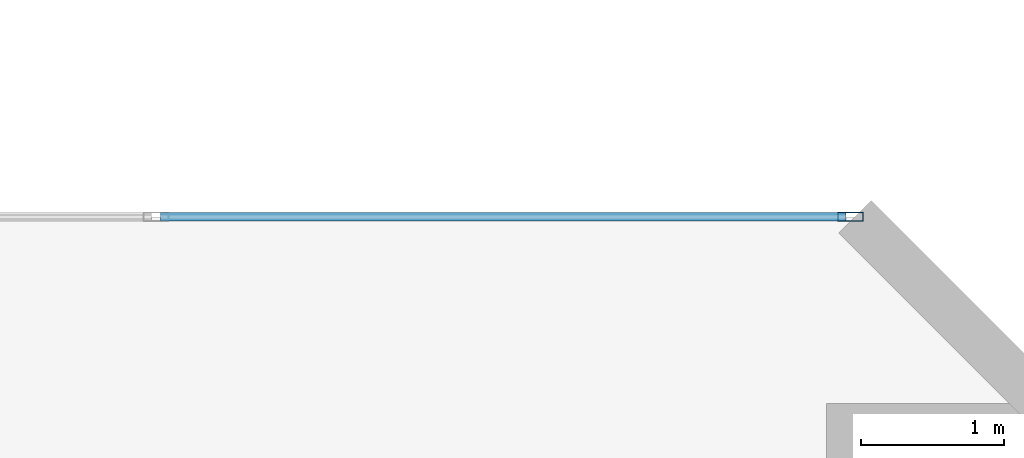
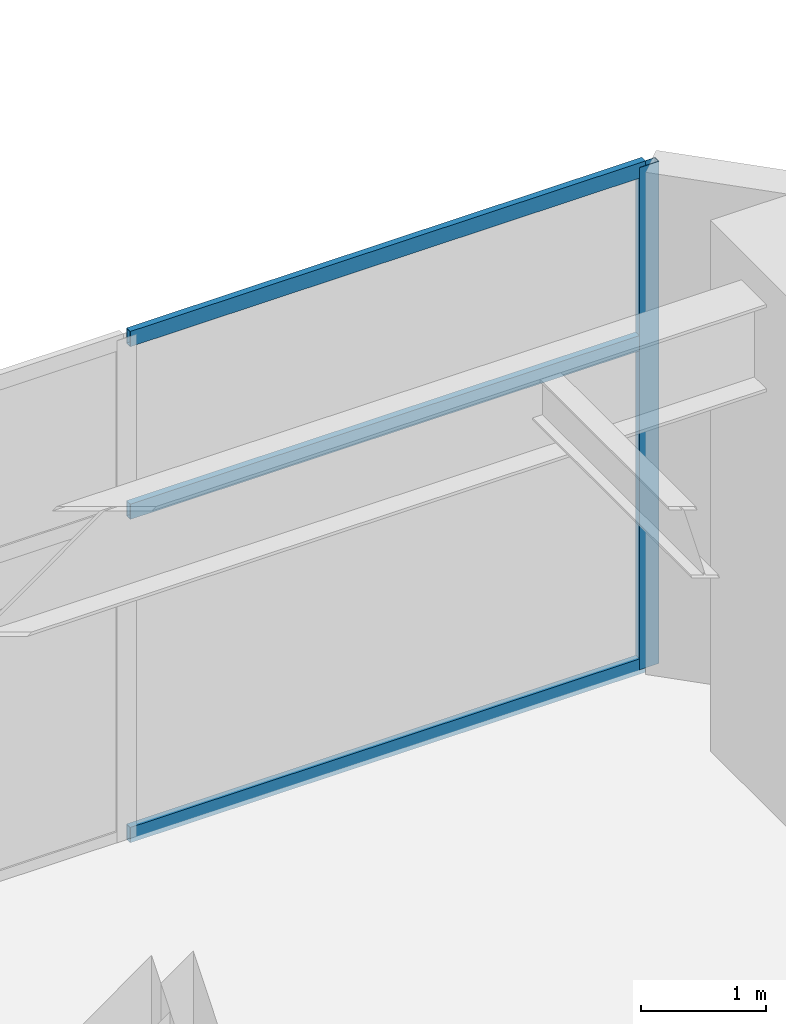
# One storey, part 11 of 22: 4 members, 1 element without a shape of its own.
"""IFC4 building model written with IfcOpenShell, lengths in metres."""

import ifcopenshell
import ifcopenshell.guid

model = None  # the IFC model being written
_history = None  # IfcOwnerHistory: only IFC2X3 demands one
_inside = {}  # id of a spatial element -> (the spatial element, [elements in it])
_under = {}  # id of a project, library or spatial element -> (it, [spatial elements below it])
_declared = {}  # id of a project -> (the project, [libraries it declares])
_typed = {}  # id of a type object -> (the type object, [elements of that type])
_made_of = {}  # id of a material, layer set ... -> (it, [elements and type objects made of it])


def new_model(schema):
    """Start an empty IFC model of exactly this schema.

    Asked for "IFC4X3", IfcOpenShell would pick the latest addendum, in which some entities
    have other attributes; the version numbers below select the first issue.
    IFC2X3 requires an IfcOwnerHistory on every rooted entity: one is made here for all.
    """
    global model, _history
    if schema == "IFC4X3":
        model = ifcopenshell.file(schema_version=(4, 3, 0, 0))
    else:
        model = ifcopenshell.file(schema=schema)
    _inside.clear()
    _under.clear()
    _declared.clear()
    _typed.clear()
    _made_of.clear()
    _history = None
    if model.schema == "IFC2X3":
        org = make("IfcOrganization", Name="unknown")
        user = make(
            "IfcPersonAndOrganization",
            ThePerson=make("IfcPerson", FamilyName="unknown"),
            TheOrganization=org,
        )
        app = make(
            "IfcApplication",
            ApplicationDeveloper=org,
            Version="unknown",
            ApplicationFullName="unknown",
            ApplicationIdentifier="unknown",
        )
        _history = make(
            "IfcOwnerHistory",
            OwningUser=user,
            OwningApplication=app,
            ChangeAction="ADDED",
            CreationDate=0,
        )
    return model


def make(cls, **values):
    """One entity of the class cls with the attributes given. An attribute that is None is left unset."""
    return model.create_entity(
        cls, **{name: value for name, value in values.items() if value is not None}
    )


def rooted(cls, **values):
    """An entity with a GlobalId (a new one), such as an element, a storey or a relation."""
    return make(cls, GlobalId=ifcopenshell.guid.new(), OwnerHistory=_history, **values)


def si_unit(unit_type, name, prefix=None):
    """IfcSIUnit, for example si_unit("LENGTHUNIT", "METRE", prefix="MILLI")."""
    return make("IfcSIUnit", UnitType=unit_type, Prefix=prefix, Name=name)


def assignment(units):
    """IfcUnitAssignment: the units of a project."""
    return None if units is None else make("IfcUnitAssignment", Units=units)


def point(xyz):
    """IfcCartesianPoint."""
    return None if xyz is None else make("IfcCartesianPoint", Coordinates=xyz)


def direction(xyz):
    """IfcDirection."""
    return None if xyz is None else make("IfcDirection", DirectionRatios=xyz)


def frame(location, z_axis=None, x_axis=None):
    """IfcAxis2Placement3D, a coordinate frame: its origin and axes. An axis left out is left unset."""
    return make(
        "IfcAxis2Placement3D",
        Location=point(location),
        Axis=direction(z_axis),
        RefDirection=direction(x_axis),
    )


def frame_2d(location, x_axis=None):
    """IfcAxis2Placement2D, a coordinate frame in the plane: its origin and x axis."""
    return make(
        "IfcAxis2Placement2D", Location=point(location), RefDirection=direction(x_axis)
    )


def origin():
    """The frame at (0, 0, 0) with its axes left unset."""
    return frame((0.0, 0.0, 0.0))


def origin_2d():
    """The frame at (0, 0) in the plane with its x axis left unset."""
    return frame_2d((0.0, 0.0))


def place(relative_to, where):
    """IfcLocalPlacement: puts the frame where relative to a parent placement (None: the world)."""
    return make(
        "IfcLocalPlacement", PlacementRelTo=relative_to, RelativePlacement=where
    )


def context(
    kind, dimensions, precision=None, world=None, true_north=None, identifier=None
):
    """IfcGeometricRepresentationContext, for example the 3D "Model" context."""
    return make(
        "IfcGeometricRepresentationContext",
        ContextIdentifier=identifier,
        ContextType=kind,
        CoordinateSpaceDimension=dimensions,
        Precision=precision,
        WorldCoordinateSystem=world,
        TrueNorth=true_north,
    )


def subcontext(parent, identifier, kind, view, scale=None):
    """IfcGeometricRepresentationSubContext, for example "Body" below "Model"."""
    return make(
        "IfcGeometricRepresentationSubContext",
        ContextIdentifier=identifier,
        ContextType=kind,
        ParentContext=parent,
        TargetScale=scale,
        TargetView=view,
    )


def project(units=None, contexts=None):
    """IfcProject with its units and contexts."""
    return rooted(
        "IfcProject",
        Name="project",
        RepresentationContexts=contexts,
        UnitsInContext=assignment(units),
    )


def spatial(cls, under=None, at=None, **own):
    """A site, building, storey or space (cls), placed at a placement, below another one or the project."""
    s = rooted(cls, ObjectPlacement=at, **own)
    if under is not None:
        _under.setdefault(under.id(), (under, []))[1].append(s)
    return s


def profile(cls, at=None, kind="AREA", **sizes):
    """A parametric profile (cls). Its sizes go by their IFC names, for example OverallWidth=200.0."""
    return make(cls, ProfileType=kind, Position=at, **sizes)


def hollow_rectangle(**sizes):
    """IfcRectangleHollowProfileDef."""
    return profile("IfcRectangleHollowProfileDef", **sizes)


def extrude(swept, where, along, depth):
    """IfcExtrudedAreaSolid: the profile swept, set in the frame where, extruded along a direction by depth."""
    return make(
        "IfcExtrudedAreaSolid",
        SweptArea=swept,
        Position=where,
        ExtrudedDirection=direction(along),
        Depth=depth,
    )


def shape(context_of_items, identifier, shape_type, items):
    """IfcShapeRepresentation: the items that make up one representation, for example the "Body"."""
    return make(
        "IfcShapeRepresentation",
        ContextOfItems=context_of_items,
        RepresentationIdentifier=identifier,
        RepresentationType=shape_type,
        Items=items,
    )


def material(Name=None, Category=None):
    """IfcMaterial."""
    return make("IfcMaterial", Name=Name, Category=Category)


def layer(
    of_material, thickness, ventilated=None, Name=None, Category=None, Priority=None
):
    """IfcMaterialLayer: one layer of a wall or slab, of a material (None: an air gap)."""
    return make(
        "IfcMaterialLayer",
        Material=of_material,
        LayerThickness=thickness,
        IsVentilated=ventilated,
        Name=Name,
        Category=Category,
        Priority=Priority,
    )


def layer_set(layers, Name=None):
    """IfcMaterialLayerSet."""
    return make("IfcMaterialLayerSet", MaterialLayers=layers, LayerSetName=Name)


def material_profile(
    of_material, cross_section, Name=None, Category=None, Priority=None
):
    """IfcMaterialProfile: a cross section and its material."""
    return make(
        "IfcMaterialProfile",
        Name=Name,
        Material=of_material,
        Profile=cross_section,
        Priority=Priority,
        Category=Category,
    )


def profile_set(profiles, Name=None, composite=None):
    """IfcMaterialProfileSet."""
    return make(
        "IfcMaterialProfileSet",
        Name=Name,
        MaterialProfiles=profiles,
        CompositeProfile=composite,
    )


def made_of(thing, what):
    """Note that an element or type object is made of a material, layer set ...; save() writes the relation."""
    if what is not None:
        _made_of.setdefault(what.id(), (what, []))[1].append(thing)
    return thing


def type_object(cls, material=None, **own):
    """A type object (cls), such as IfcWallType, which elements share."""
    return made_of(rooted(cls, **own), material)


def element(
    cls,
    number,
    at=None,
    inside=None,
    cuts=None,
    type_object=None,
    material=None,
    context=None,
    identifier="Body",
    shape_type=None,
    held_by="IfcProductDefinitionShape",
    body=None,
    shapes=None,
    **own,
):
    """One element of the class cls, such as IfcWall. Its Tag is "e" and its number.

    at: its placement. inside: the storey or other place that contains it. cuts: it is an
    opening in that element (IfcRelVoidsElement). A single representation is given by context,
    identifier, shape_type and body (its items); several are given by shapes. held_by: the class
    of the entity that holds the representations. save() writes the other relations.
    """
    e = rooted(cls, Tag="e%d" % number, ObjectPlacement=at, **own)
    if body is not None:
        shapes = [shape(context, identifier, shape_type, body)]
    if shapes is not None:
        e.Representation = make(held_by, Representations=shapes)
    if inside is not None:
        _inside.setdefault(inside.id(), (inside, []))[1].append(e)
    if cuts is not None:
        rooted(
            "IfcRelVoidsElement", RelatingBuildingElement=cuts, RelatedOpeningElement=e
        )
    if type_object is not None:
        _typed.setdefault(type_object.id(), (type_object, []))[1].append(e)
    return made_of(e, material)


def aggregate(whole, parts):
    """IfcRelAggregates: a whole, such as a stair, and the parts it consists of."""
    return rooted("IfcRelAggregates", RelatingObject=whole, RelatedObjects=parts)


def save(model, path):
    """Write the relations noted so far, then the file.

    IfcRelAggregates (storeys below a building ...), IfcRelContainedInSpatialStructure (elements
    in a storey), IfcRelDefinesByType, IfcRelAssociatesMaterial and IfcRelDeclares: one each for
    every whole, place, type object, material and project.
    """
    for whole, parts in _under.values():
        aggregate(whole, parts)
    for where, things in _inside.values():
        rooted(
            "IfcRelContainedInSpatialStructure",
            RelatedElements=things,
            RelatingStructure=where,
        )
    for kind, things in _typed.values():
        rooted("IfcRelDefinesByType", RelatedObjects=things, RelatingType=kind)
    for what, things in _made_of.values():
        rooted("IfcRelAssociatesMaterial", RelatedObjects=things, RelatingMaterial=what)
    for by, libraries in _declared.values():
        rooted("IfcRelDeclares", RelatingContext=by, RelatedDefinitions=libraries)
    model.write(path)


model = new_model("IFC4")

# Units and contexts
model_context = context("Model", 3, precision=1e-05, world=origin(), true_north=direction((0.0, 1.0)))
body_context = subcontext(model_context, "Body", "Model", "MODEL_VIEW")
ifc_project = project(units=[si_unit("LENGTHUNIT", "METRE"), si_unit("AREAUNIT", "SQUARE_METRE"), si_unit("VOLUMEUNIT", "CUBIC_METRE"), si_unit("PLANEANGLEUNIT", "RADIAN"), si_unit("MASSUNIT", "GRAM", prefix="KILO")], contexts=[model_context])

# Site, building, storey
site_placement = place(None, origin())
site = spatial("IfcSite", under=ifc_project, at=site_placement, CompositionType="ELEMENT")
building_placement = place(site_placement, origin())
building = spatial("IfcBuilding", under=site, at=building_placement, Name="Mawjaban Terraces University", CompositionType="ELEMENT")
storey_placement = place(building_placement, frame((0.0, 0.0, 10.39990234375)))
storey = spatial("IfcBuildingStorey", under=building, at=storey_placement, Name="L02", CompositionType="ELEMENT", Elevation=10.39990234375)

# Curtain wall, members
ifc_material_1 = material(Name="Anodised aluminium 6063-T6 and solar-control low-E glass", Category="aluminium")
ifc_layer = layer(ifc_material_1, 0.179931640625)
ifc_layer_set = layer_set([ifc_layer], Name="Anodised aluminium 6063-T6 and solar-control low-E glass")
curtain_wall_type = type_object("IfcCurtainWallType", Name="CWSystem_01_PlazaFoyer", PredefinedType="NOTDEFINED", material=ifc_layer_set)
curtain_wall_placement = place(storey_placement, origin())
curtain_wall = element("IfcCurtainWall", 1, at=curtain_wall_placement, inside=storey, type_object=curtain_wall_type, Name="L02 Curtain Wall CW-01 Run 5.1", PredefinedType="NOTDEFINED")
ifc_material_2 = material(Name="Anodised aluminium 6063-T6", Category="aluminium")
ifc_material_profile_1 = material_profile(ifc_material_2, hollow_rectangle(XDim=0.06494140625, YDim=0.179931640625, WallThickness=0.00390625, at=origin_2d()), Name="ALU180X65X4")
ifc_profile_set_1 = profile_set([ifc_material_profile_1], Name="Anodised aluminium 6063-T6")
member_type_1 = type_object("IfcMemberType", Name="Mullion_CW-01", PredefinedType="MULLION", material=ifc_profile_set_1)
member_1_placement = place(storey_placement, frame((73.467529296875, 32.0, 0.0), z_axis=(0.0, 0.0, 1.0), x_axis=(0.0, -1.0, 0.0)))
member_1 = element("IfcMember", 2, at=member_1_placement, type_object=member_type_1, Name="CW-01 mullion 1", PredefinedType="MULLION", context=body_context, shape_type="SweptSolid", body=[
    extrude(hollow_rectangle(XDim=0.06494140625, YDim=0.179931640625, WallThickness=0.00390625, at=origin_2d()), origin(), (0.0, 0.0, 1.0), 4.920166015625),
])
ifc_material_profile_2 = material_profile(ifc_material_2, hollow_rectangle(XDim=0.06005859375, YDim=0.14990234375, WallThickness=0.00390625, at=origin_2d()), Name="ALU150X60X4")
ifc_profile_set_2 = profile_set([ifc_material_profile_2], Name="Anodised aluminium 6063-T6")
member_type_2 = type_object("IfcMemberType", Name="Transom_CW-01", PredefinedType="NOTDEFINED", material=ifc_profile_set_2)
member_2_placement = place(storey_placement, frame((73.43505859375, 32.0, 0.030029296875), z_axis=(-1.0, 0.0, 0.0), x_axis=(0.0, -1.0, 0.0)))
member_2 = element("IfcMember", 3, at=member_2_placement, type_object=member_type_2, Name="CW-01 transom 1.1", ObjectType="TRANSOM", PredefinedType="USERDEFINED", context=body_context, shape_type="SweptSolid", body=[
    extrude(hollow_rectangle(XDim=0.06005859375, YDim=0.14990234375, WallThickness=0.00390625, at=origin_2d()), origin(), (0.0, 0.0, 1.0), 4.777587890625),
])
member_3_placement = place(storey_placement, frame((73.43505859375, 32.0, 3.197998046875), z_axis=(-1.0, 0.0, 0.0), x_axis=(0.0, -1.0, 0.0)))
member_3 = element("IfcMember", 4, at=member_3_placement, type_object=member_type_2, Name="CW-01 transom 1.2", ObjectType="TRANSOM", PredefinedType="USERDEFINED", context=body_context, shape_type="SweptSolid", body=[
    extrude(hollow_rectangle(XDim=0.06005859375, YDim=0.14990234375, WallThickness=0.00390625, at=origin_2d()), origin(), (0.0, 0.0, 1.0), 4.777587890625),
])
member_4_placement = place(storey_placement, frame((73.43505859375, 32.0, 4.89013671875), z_axis=(-1.0, 0.0, 0.0), x_axis=(0.0, -1.0, 0.0)))
member_4 = element("IfcMember", 5, at=member_4_placement, type_object=member_type_2, Name="CW-01 transom 1.3", ObjectType="TRANSOM", PredefinedType="USERDEFINED", context=body_context, shape_type="SweptSolid", body=[
    extrude(hollow_rectangle(XDim=0.06005859375, YDim=0.14990234375, WallThickness=0.00390625, at=origin_2d()), origin(), (0.0, 0.0, 1.0), 4.777587890625),
])
aggregate(curtain_wall, [member_1, member_2, member_3, member_4])

save(model, "model.ifc")
